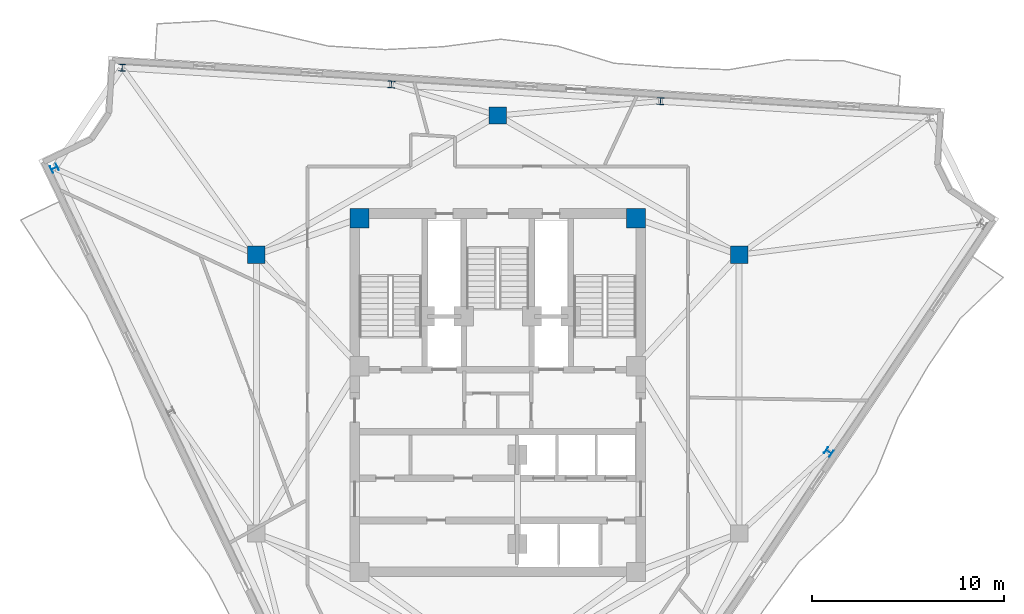
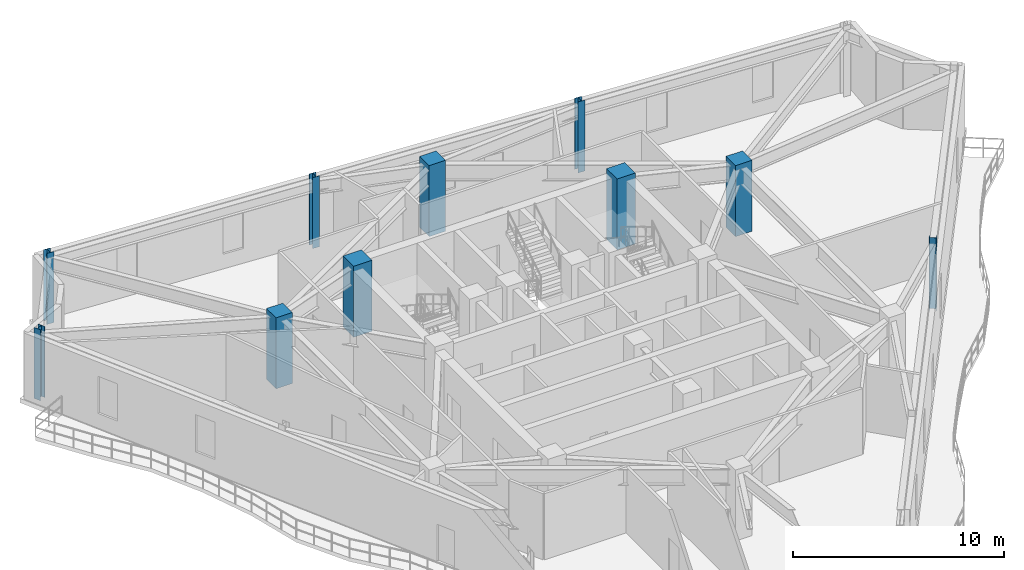
# One storey, part 2 of 11: 10 columns.
"""IFC4 building model written with IfcOpenShell, lengths in metres."""

from ifc_helpers import new_model, si_unit, direction, frame, origin, origin_2d, place, context, subcontext, project, spatial, rectangle, i_section, extrude, material, material_profile, profile_set, type_object, element, save


model = new_model("IFC4")

# Units and contexts
model_context = context("Model", 3, precision=1e-05, world=origin(), true_north=direction((0.0, 1.0)))
body_context = subcontext(model_context, "Body", "Model", "MODEL_VIEW")
ifc_project = project(units=[si_unit("LENGTHUNIT", "METRE"), si_unit("AREAUNIT", "SQUARE_METRE"), si_unit("VOLUMEUNIT", "CUBIC_METRE"), si_unit("PLANEANGLEUNIT", "RADIAN"), si_unit("MASSUNIT", "GRAM", prefix="KILO")], contexts=[model_context])

# Site, building, storey
site_placement = place(None, origin())
site = spatial("IfcSite", under=ifc_project, at=site_placement, CompositionType="ELEMENT")
building_placement = place(site_placement, origin())
building = spatial("IfcBuilding", under=site, at=building_placement, Name="Apsidion Concourse Tower", CompositionType="ELEMENT")
storey_placement = place(building_placement, frame((0.0, 0.0, 314.699951171875)))
storey = spatial("IfcBuildingStorey", under=building, at=storey_placement, Name="L74", CompositionType="ELEMENT", Elevation=314.699951171875)

# Columns
ifc_material_1 = material(Name="Concrete C50/60", Category="concrete")
ifc_material_profile_1 = material_profile(ifc_material_1, rectangle(XDim=1.0, YDim=1.0, at=origin_2d()), Name="RC 1000x1000")
ifc_profile_set_1 = profile_set([ifc_material_profile_1], Name="Concrete C50/60")
column_type_1 = type_object("IfcColumnType", Name="COL-RC-1000", PredefinedType="COLUMN", material=ifc_profile_set_1)
for number, where, z_axis, x_axis, name in (
    (1, (7.199951171875, 9.14990234375, 0.0), (0.0, 0.0, 1.0), (1.0, 0.0, 0.0), "L74 Core Super-Column SC4"),
    (2, (-7.199951171875, 9.14990234375, 0.0), (0.0, 0.0, 1.0), (1.0, 0.0, 0.0), "L74 Core Super-Column SC5"),
):
    element("IfcColumn", number, at=place(storey_placement, frame(where, z_axis=z_axis, x_axis=x_axis)), inside=storey, type_object=column_type_1, Name=name, PredefinedType="COLUMN", context=body_context, shape_type="SweptSolid", body=[
        extrude(rectangle(XDim=1.0, YDim=1.0, at=origin_2d()), origin(), (0.0, 0.0, 1.0), 4.10009765625),
    ])
ifc_material_profile_2 = material_profile(ifc_material_1, rectangle(XDim=0.89990234375, YDim=0.89990234375, at=origin_2d()), Name="RC 900x900")
ifc_profile_set_2 = profile_set([ifc_material_profile_2], Name="Concrete C50/60")
column_type_2 = type_object("IfcColumnType", Name="COL-RC-900", PredefinedType="COLUMN", material=ifc_profile_set_2)
for number, where, z_axis, x_axis, name in (
    (3, (12.56005859375, 7.25, 0.0), (0.0, 0.0, 1.0), (1.0, 0.0, 0.0), "L74 Interior Spine Column IC3"),
    (4, (0.0, 14.5, 0.0), (0.0, 0.0, 1.0), (1.0, 0.0, 0.0), "L74 Interior Spine Column IC4"),
    (5, (-12.56005859375, 7.25, 0.0), (0.0, 0.0, 1.0), (1.0, 0.0, 0.0), "L74 Interior Spine Column IC5"),
):
    element("IfcColumn", number, at=place(storey_placement, frame(where, z_axis=z_axis, x_axis=x_axis)), inside=storey, type_object=column_type_2, Name=name, PredefinedType="COLUMN", context=body_context, shape_type="SweptSolid", body=[
        extrude(rectangle(XDim=0.89990234375, YDim=0.89990234375, at=origin_2d()), origin(), (0.0, 0.0, 1.0), 4.10009765625),
    ])
ifc_material_2 = material(Name="Structural steel ASTM A992 Grade 50", Category="steel")
ifc_material_profile_3 = material_profile(ifc_material_2, i_section(OverallWidth=0.367919921875, OverallDepth=0.35595703125, WebThickness=0.01123046875, FlangeThickness=0.01806640625, at=origin_2d()), Name="W14X90")
ifc_profile_set_3 = profile_set([ifc_material_profile_3], Name="Structural steel ASTM A992 Grade 50")
column_type_3 = type_object("IfcColumnType", Name="COL-W14-90", PredefinedType="COLUMN", material=ifc_profile_set_3)
for number, where, z_axis, x_axis, name in (
    (6, (-23.0732421875, 11.758544921875, 0.0), (0.0, 0.0, 1.0), (-0.431298587031, 0.902209248913, 0.0), "L74 Rotated Perimeter Column PC01"),
    (7, (17.223876953125, -3.005615234375, 0.0), (0.0, 0.0, 1.0), (0.559192903471, 0.829037572555, 0.0), "L74 Rotated Perimeter Column PC07"),
    (8, (8.469482421875, 15.24853515625, 0.0), (0.0, 0.0, 1.0), (-0.998081143466, 0.061919553109, 0.0), "L74 Rotated Perimeter Column PC10"),
    (9, (-5.5380859375, 16.118408203125, 0.0), (0.0, 0.0, 1.0), (-0.998081143466, 0.061919553109, 0.0), "L74 Rotated Perimeter Column PC11"),
    (10, (-19.5458984375, 16.98828125, 0.0), (0.0, 0.0, 1.0), (-0.998081143466, 0.061919553109, 0.0), "L74 Rotated Perimeter Column PC12"),
):
    element("IfcColumn", number, at=place(storey_placement, frame(where, z_axis=z_axis, x_axis=x_axis)), inside=storey, type_object=column_type_3, Name=name, PredefinedType="COLUMN", context=body_context, shape_type="SweptSolid", body=[
        extrude(i_section(OverallWidth=0.367919921875, OverallDepth=0.35595703125, WebThickness=0.01123046875, FlangeThickness=0.01806640625, at=origin_2d()), origin(), (0.0, 0.0, 1.0), 4.10009765625),
    ])

save(model, "model.ifc")
